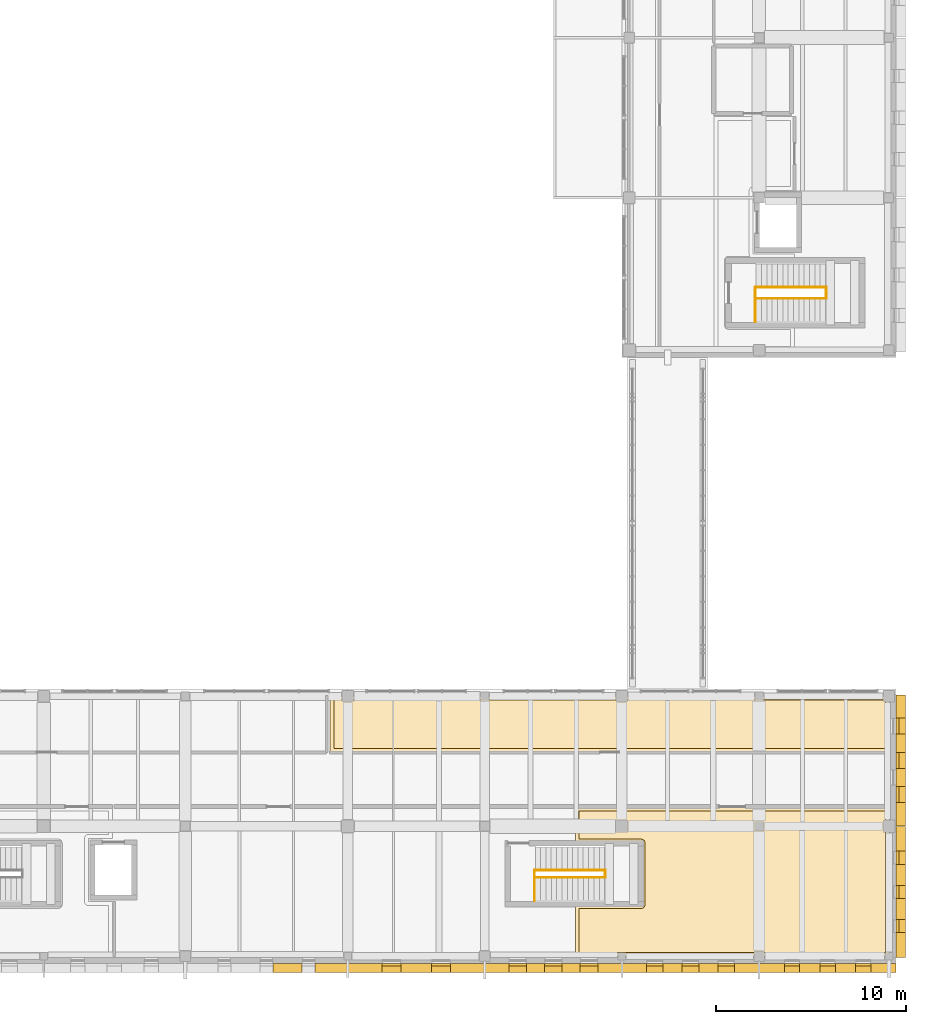
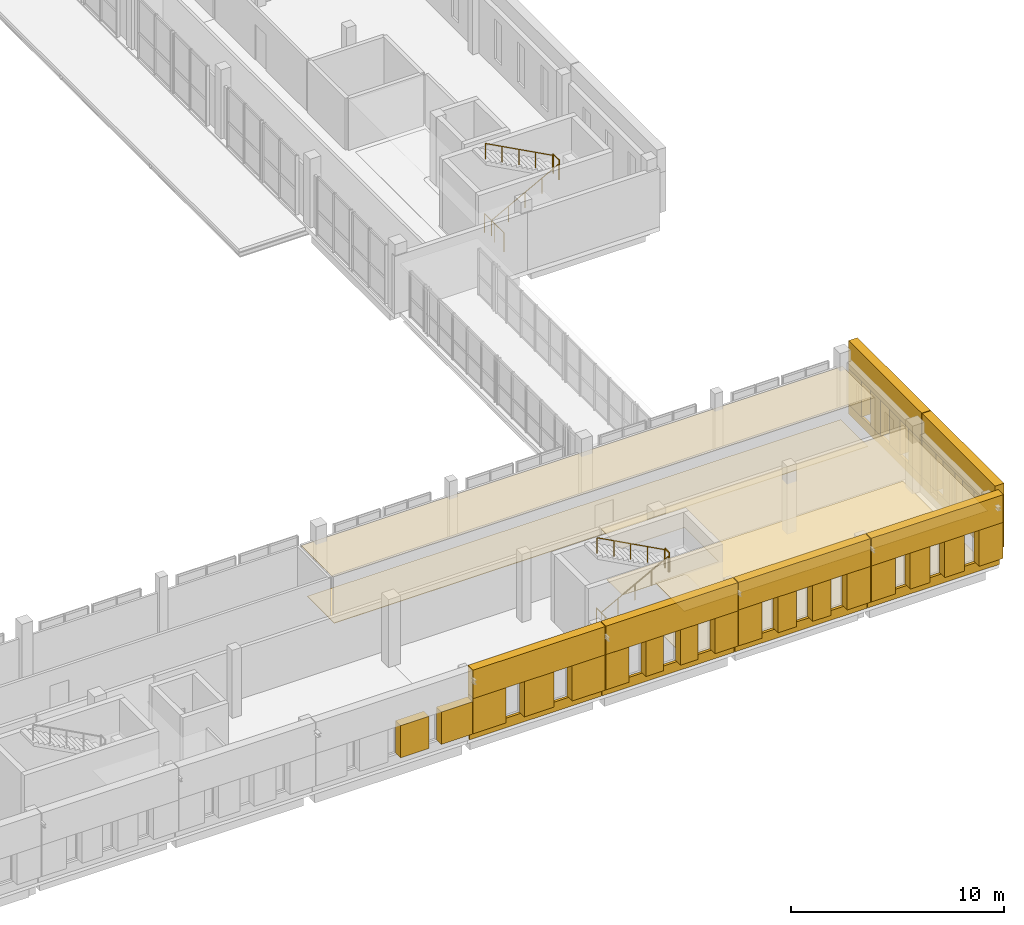
# One storey, part 74 of 76: 41 coverings, 8 railings.
"""IFC4 building model written with IfcOpenShell, lengths in metres."""

import ifcopenshell
import ifcopenshell.guid

model = None  # the IFC model being written
_history = None  # IfcOwnerHistory: only IFC2X3 demands one
_inside = {}  # id of a spatial element -> (the spatial element, [elements in it])
_under = {}  # id of a project, library or spatial element -> (it, [spatial elements below it])
_declared = {}  # id of a project -> (the project, [libraries it declares])
_typed = {}  # id of a type object -> (the type object, [elements of that type])
_made_of = {}  # id of a material, layer set ... -> (it, [elements and type objects made of it])


def new_model(schema):
    """Start an empty IFC model of exactly this schema.

    Asked for "IFC4X3", IfcOpenShell would pick the latest addendum, in which some entities
    have other attributes; the version numbers below select the first issue.
    IFC2X3 requires an IfcOwnerHistory on every rooted entity: one is made here for all.
    """
    global model, _history
    if schema == "IFC4X3":
        model = ifcopenshell.file(schema_version=(4, 3, 0, 0))
    else:
        model = ifcopenshell.file(schema=schema)
    _inside.clear()
    _under.clear()
    _declared.clear()
    _typed.clear()
    _made_of.clear()
    _history = None
    if model.schema == "IFC2X3":
        org = make("IfcOrganization", Name="unknown")
        user = make(
            "IfcPersonAndOrganization",
            ThePerson=make("IfcPerson", FamilyName="unknown"),
            TheOrganization=org,
        )
        app = make(
            "IfcApplication",
            ApplicationDeveloper=org,
            Version="unknown",
            ApplicationFullName="unknown",
            ApplicationIdentifier="unknown",
        )
        _history = make(
            "IfcOwnerHistory",
            OwningUser=user,
            OwningApplication=app,
            ChangeAction="ADDED",
            CreationDate=0,
        )
    return model


def make(cls, **values):
    """One entity of the class cls with the attributes given. An attribute that is None is left unset."""
    return model.create_entity(
        cls, **{name: value for name, value in values.items() if value is not None}
    )


def rooted(cls, **values):
    """An entity with a GlobalId (a new one), such as an element, a storey or a relation."""
    return make(cls, GlobalId=ifcopenshell.guid.new(), OwnerHistory=_history, **values)


def si_unit(unit_type, name, prefix=None):
    """IfcSIUnit, for example si_unit("LENGTHUNIT", "METRE", prefix="MILLI")."""
    return make("IfcSIUnit", UnitType=unit_type, Prefix=prefix, Name=name)


def assignment(units):
    """IfcUnitAssignment: the units of a project."""
    return None if units is None else make("IfcUnitAssignment", Units=units)


def point(xyz):
    """IfcCartesianPoint."""
    return None if xyz is None else make("IfcCartesianPoint", Coordinates=xyz)


def direction(xyz):
    """IfcDirection."""
    return None if xyz is None else make("IfcDirection", DirectionRatios=xyz)


def frame(location, z_axis=None, x_axis=None):
    """IfcAxis2Placement3D, a coordinate frame: its origin and axes. An axis left out is left unset."""
    return make(
        "IfcAxis2Placement3D",
        Location=point(location),
        Axis=direction(z_axis),
        RefDirection=direction(x_axis),
    )


def frame_2d(location, x_axis=None):
    """IfcAxis2Placement2D, a coordinate frame in the plane: its origin and x axis."""
    return make(
        "IfcAxis2Placement2D", Location=point(location), RefDirection=direction(x_axis)
    )


def origin():
    """The frame at (0, 0, 0) with its axes left unset."""
    return frame((0.0, 0.0, 0.0))


def origin_2d():
    """The frame at (0, 0) in the plane with its x axis left unset."""
    return frame_2d((0.0, 0.0))


def place(relative_to, where):
    """IfcLocalPlacement: puts the frame where relative to a parent placement (None: the world)."""
    return make(
        "IfcLocalPlacement", PlacementRelTo=relative_to, RelativePlacement=where
    )


def context(
    kind, dimensions, precision=None, world=None, true_north=None, identifier=None
):
    """IfcGeometricRepresentationContext, for example the 3D "Model" context."""
    return make(
        "IfcGeometricRepresentationContext",
        ContextIdentifier=identifier,
        ContextType=kind,
        CoordinateSpaceDimension=dimensions,
        Precision=precision,
        WorldCoordinateSystem=world,
        TrueNorth=true_north,
    )


def subcontext(parent, identifier, kind, view, scale=None):
    """IfcGeometricRepresentationSubContext, for example "Body" below "Model"."""
    return make(
        "IfcGeometricRepresentationSubContext",
        ContextIdentifier=identifier,
        ContextType=kind,
        ParentContext=parent,
        TargetScale=scale,
        TargetView=view,
    )


def project(units=None, contexts=None):
    """IfcProject with its units and contexts."""
    return rooted(
        "IfcProject",
        Name="project",
        RepresentationContexts=contexts,
        UnitsInContext=assignment(units),
    )


def spatial(cls, under=None, at=None, **own):
    """A site, building, storey or space (cls), placed at a placement, below another one or the project."""
    s = rooted(cls, ObjectPlacement=at, **own)
    if under is not None:
        _under.setdefault(under.id(), (under, []))[1].append(s)
    return s


def polyline(points):
    """IfcPolyline through the points."""
    return make("IfcPolyline", Points=[point(p) for p in points])


def profile(cls, at=None, kind="AREA", **sizes):
    """A parametric profile (cls). Its sizes go by their IFC names, for example OverallWidth=200.0."""
    return make(cls, ProfileType=kind, Position=at, **sizes)


def circle(**sizes):
    """IfcCircleProfileDef."""
    return profile("IfcCircleProfileDef", **sizes)


def outline(outer, holes=None, kind="AREA"):
    """IfcArbitraryClosedProfileDef: a profile drawn as a closed curve; with holes, ...WithVoids."""
    if holes is None:
        return make("IfcArbitraryClosedProfileDef", ProfileType=kind, OuterCurve=outer)
    return make(
        "IfcArbitraryProfileDefWithVoids",
        ProfileType=kind,
        OuterCurve=outer,
        InnerCurves=holes,
    )


def extrude(swept, where, along, depth):
    """IfcExtrudedAreaSolid: the profile swept, set in the frame where, extruded along a direction by depth."""
    return make(
        "IfcExtrudedAreaSolid",
        SweptArea=swept,
        Position=where,
        ExtrudedDirection=direction(along),
        Depth=depth,
    )


def shape(context_of_items, identifier, shape_type, items):
    """IfcShapeRepresentation: the items that make up one representation, for example the "Body"."""
    return make(
        "IfcShapeRepresentation",
        ContextOfItems=context_of_items,
        RepresentationIdentifier=identifier,
        RepresentationType=shape_type,
        Items=items,
    )


def material(Name=None, Category=None):
    """IfcMaterial."""
    return make("IfcMaterial", Name=Name, Category=Category)


def layer(
    of_material, thickness, ventilated=None, Name=None, Category=None, Priority=None
):
    """IfcMaterialLayer: one layer of a wall or slab, of a material (None: an air gap)."""
    return make(
        "IfcMaterialLayer",
        Material=of_material,
        LayerThickness=thickness,
        IsVentilated=ventilated,
        Name=Name,
        Category=Category,
        Priority=Priority,
    )


def layer_set(layers, Name=None):
    """IfcMaterialLayerSet."""
    return make("IfcMaterialLayerSet", MaterialLayers=layers, LayerSetName=Name)


def made_of(thing, what):
    """Note that an element or type object is made of a material, layer set ...; save() writes the relation."""
    if what is not None:
        _made_of.setdefault(what.id(), (what, []))[1].append(thing)
    return thing


def type_object(cls, material=None, **own):
    """A type object (cls), such as IfcWallType, which elements share."""
    return made_of(rooted(cls, **own), material)


def element(
    cls,
    number,
    at=None,
    inside=None,
    cuts=None,
    type_object=None,
    material=None,
    context=None,
    identifier="Body",
    shape_type=None,
    held_by="IfcProductDefinitionShape",
    body=None,
    shapes=None,
    **own,
):
    """One element of the class cls, such as IfcWall. Its Tag is "e" and its number.

    at: its placement. inside: the storey or other place that contains it. cuts: it is an
    opening in that element (IfcRelVoidsElement). A single representation is given by context,
    identifier, shape_type and body (its items); several are given by shapes. held_by: the class
    of the entity that holds the representations. save() writes the other relations.
    """
    e = rooted(cls, Tag="e%d" % number, ObjectPlacement=at, **own)
    if body is not None:
        shapes = [shape(context, identifier, shape_type, body)]
    if shapes is not None:
        e.Representation = make(held_by, Representations=shapes)
    if inside is not None:
        _inside.setdefault(inside.id(), (inside, []))[1].append(e)
    if cuts is not None:
        rooted(
            "IfcRelVoidsElement", RelatingBuildingElement=cuts, RelatedOpeningElement=e
        )
    if type_object is not None:
        _typed.setdefault(type_object.id(), (type_object, []))[1].append(e)
    return made_of(e, material)


def aggregate(whole, parts):
    """IfcRelAggregates: a whole, such as a stair, and the parts it consists of."""
    return rooted("IfcRelAggregates", RelatingObject=whole, RelatedObjects=parts)


def save(model, path):
    """Write the relations noted so far, then the file.

    IfcRelAggregates (storeys below a building ...), IfcRelContainedInSpatialStructure (elements
    in a storey), IfcRelDefinesByType, IfcRelAssociatesMaterial and IfcRelDeclares: one each for
    every whole, place, type object, material and project.
    """
    for whole, parts in _under.values():
        aggregate(whole, parts)
    for where, things in _inside.values():
        rooted(
            "IfcRelContainedInSpatialStructure",
            RelatedElements=things,
            RelatingStructure=where,
        )
    for kind, things in _typed.values():
        rooted("IfcRelDefinesByType", RelatedObjects=things, RelatingType=kind)
    for what, things in _made_of.values():
        rooted("IfcRelAssociatesMaterial", RelatedObjects=things, RelatingMaterial=what)
    for by, libraries in _declared.values():
        rooted("IfcRelDeclares", RelatingContext=by, RelatedDefinitions=libraries)
    model.write(path)


model = new_model("IFC4")

# Units and contexts
model_context = context("Model", 3, precision=1e-05, world=origin(), true_north=direction((0.0, 1.0)))
body_context = subcontext(model_context, "Body", "Model", "MODEL_VIEW")
ifc_project = project(units=[si_unit("LENGTHUNIT", "METRE"), si_unit("AREAUNIT", "SQUARE_METRE"), si_unit("VOLUMEUNIT", "CUBIC_METRE"), si_unit("PLANEANGLEUNIT", "RADIAN"), si_unit("MASSUNIT", "GRAM", prefix="KILO")], contexts=[model_context])

# Site, building, storey
site_placement = place(None, origin())
site = spatial("IfcSite", under=ifc_project, at=site_placement, CompositionType="ELEMENT")
building_placement = place(site_placement, origin())
building = spatial("IfcBuilding", under=site, at=building_placement, Name="Vardoun Plaza Health Centre", CompositionType="ELEMENT")
storey_placement = place(building_placement, frame((0.0, 0.0, 4.5)))
storey = spatial("IfcBuildingStorey", under=building, at=storey_placement, Name="L01", CompositionType="ELEMENT", Elevation=4.5)

# Coverings
ifc_material_1 = material(Name="Hygienic Acoustic Mineral-Fibre Ceiling", Category="concrete")
ifc_layer_1 = layer(ifc_material_1, 0.02490234375)
ifc_layer_set_1 = layer_set([ifc_layer_1], Name="Hygienic Acoustic Mineral-Fibre Ceiling")
covering_type_1 = type_object("IfcCoveringType", Name="CL-01", PredefinedType="CEILING", material=ifc_layer_set_1)
covering_1_placement = place(storey_placement, frame((0.0, 0.0, 2.864990234375)))
element("IfcCovering", 1, at=covering_1_placement, inside=storey, type_object=covering_type_1, Name="Endoscope Decontamination Suite Acoustic Ceiling", PredefinedType="CEILING", context=body_context, shape_type="SweptSolid", body=[
    extrude(outline(polyline([(164.93994140625, 4.860107421875), (148.449951171875, 4.860107421875), (148.449951171875, 7.590087890625), (151.89990234375, 7.590087890625), (151.90087890625, 7.590087890625), (151.902099609375, 7.590087890625), (151.90283203125, 7.59033203125), (151.90380859375, 7.5908203125), (151.90478515625, 7.59130859375), (151.905517578125, 7.591796875), (151.90625, 7.59228515625), (151.906982421875, 7.593017578125), (151.90771484375, 7.59375), (151.908203125, 7.594482421875), (151.90869140625, 7.59521484375), (151.9091796875, 7.59619140625), (151.90966796875, 7.59716796875), (151.909912109375, 7.597900390625), (151.909912109375, 7.59912109375), (151.909912109375, 7.60009765625), (151.909912109375, 10.800048828125), (151.909912109375, 10.801025390625), (151.909912109375, 10.802001953125), (151.90966796875, 10.802978515625), (151.9091796875, 10.8037109375), (151.90869140625, 10.8046875), (151.908203125, 10.8056640625), (151.90771484375, 10.806396484375), (151.906982421875, 10.80712890625), (151.90625, 10.8076171875), (151.905517578125, 10.808349609375), (151.90478515625, 10.808837890625), (151.90380859375, 10.80908203125), (151.90283203125, 10.8095703125), (151.902099609375, 10.809814453125), (151.90087890625, 10.81005859375), (151.89990234375, 10.81005859375), (148.449951171875, 10.81005859375), (148.449951171875, 12.719970703125), (164.93994140625, 12.719970703125), (164.93994140625, 4.860107421875)])), origin(), (0.0, 0.0, 1.0), 0.02490234375),
])
covering_2_placement = place(storey_placement, frame((0.0, 0.0, 2.864990234375)))
element("IfcCovering", 2, at=covering_2_placement, inside=storey, type_object=covering_type_1, Name="Day Surgery Reception Lounge Acoustic Ceiling", PredefinedType="CEILING", context=body_context, shape_type="SweptSolid", body=[
    extrude(outline(polyline([(164.93994140625, 18.5400390625), (164.93994140625, 15.580078125), (135.570068359375, 15.580078125), (135.570068359375, 18.5400390625), (164.93994140625, 18.5400390625)])), origin(), (0.0, 0.0, 1.0), 0.02490234375),
])
ifc_material_2 = material(Name="Pale Limestone Concrete C35/45", Category="masonry")
ifc_layer_2 = layer(ifc_material_2, 0.080078125)
ifc_layer_set_2 = layer_set([ifc_layer_2], Name="Pale Limestone Concrete C35/45")
covering_type_2 = type_object("IfcCoveringType", Name="CL-EXT1", PredefinedType="CLADDING", material=ifc_layer_set_2)
covering_3_placement = place(storey_placement, origin())
element("IfcCovering", 3, at=covering_3_placement, inside=storey, type_object=covering_type_2, Name="V5 L01 Pale Concrete Sill Band 1123", PredefinedType="CLADDING", context=body_context, shape_type="SweptSolid", body=[
    extrude(outline(polyline([(165.300048828125, 18.5849609375), (165.300048828125, 11.719970703125), (165.43994140625, 11.719970703125), (165.43994140625, 18.5849609375), (165.300048828125, 18.5849609375)])), origin(), (0.0, 0.0, 1.0), 0.550048828125),
])
covering_4_placement = place(storey_placement, frame((0.0, 0.0, 2.590087890625)))
element("IfcCovering", 4, at=covering_4_placement, inside=storey, type_object=covering_type_2, Name="V5 L01 Sculpted Concrete Eyebrow Hood 1124", PredefinedType="CLADDING", context=body_context, shape_type="SweptSolid", body=[
    extrude(outline(polyline([(165.300048828125, 18.5849609375), (165.300048828125, 11.719970703125), (165.780029296875, 11.719970703125), (165.780029296875, 18.5849609375), (165.300048828125, 18.5849609375)])), origin(), (0.0, 0.0, 1.0), 1.60986328125),
])
covering_5_placement = place(storey_placement, frame((0.0, 0.0, 0.550048828125)))
element("IfcCovering", 5, at=covering_5_placement, inside=storey, type_object=covering_type_2, Name="V5 L01 Deep-Punched Slot Concrete Reveal Pier 1125", PredefinedType="CLADDING", context=body_context, shape_type="SweptSolid", body=[
    extrude(outline(polyline([(165.300048828125, 18.5849609375), (165.300048828125, 17.367919921875), (165.780029296875, 17.367919921875), (165.780029296875, 18.5849609375), (165.300048828125, 18.5849609375)])), origin(), (0.0, 0.0, 1.0), 2.0400390625),
])
covering_6_placement = place(storey_placement, frame((0.0, 0.0, 0.550048828125)))
element("IfcCovering", 6, at=covering_6_placement, inside=storey, type_object=covering_type_2, Name="V5 L01 Deep-Punched Slot Concrete Reveal Pier 1126", PredefinedType="CLADDING", context=body_context, shape_type="SweptSolid", body=[
    extrude(outline(polyline([(165.300048828125, 16.52783203125), (165.300048828125, 15.572509765625), (165.780029296875, 15.572509765625), (165.780029296875, 16.52783203125), (165.300048828125, 16.52783203125)])), origin(), (0.0, 0.0, 1.0), 2.0400390625),
])
covering_7_placement = place(storey_placement, frame((0.0, 0.0, 0.550048828125)))
element("IfcCovering", 7, at=covering_7_placement, inside=storey, type_object=covering_type_2, Name="V5 L01 Deep-Punched Slot Concrete Reveal Pier 1127", PredefinedType="CLADDING", context=body_context, shape_type="SweptSolid", body=[
    extrude(outline(polyline([(165.300048828125, 14.732421875), (165.300048828125, 13.777099609375), (165.780029296875, 13.777099609375), (165.780029296875, 14.732421875), (165.300048828125, 14.732421875)])), origin(), (0.0, 0.0, 1.0), 2.0400390625),
])
covering_8_placement = place(storey_placement, frame((0.0, 0.0, 0.550048828125)))
element("IfcCovering", 8, at=covering_8_placement, inside=storey, type_object=covering_type_2, Name="V5 L01 Deep-Punched Slot Concrete Reveal Pier 1128", PredefinedType="CLADDING", context=body_context, shape_type="SweptSolid", body=[
    extrude(outline(polyline([(165.300048828125, 12.937255859375), (165.300048828125, 11.719970703125), (165.780029296875, 11.719970703125), (165.780029296875, 12.937255859375), (165.300048828125, 12.937255859375)])), origin(), (0.0, 0.0, 1.0), 2.0400390625),
])
covering_9_placement = place(storey_placement, origin())
element("IfcCovering", 9, at=covering_9_placement, inside=storey, type_object=covering_type_2, Name="V5 L01 Pale Concrete Sill Band 1129", PredefinedType="CLADDING", context=body_context, shape_type="SweptSolid", body=[
    extrude(outline(polyline([(165.300048828125, 11.679931640625), (165.300048828125, 4.81494140625), (165.43994140625, 4.81494140625), (165.43994140625, 11.679931640625), (165.300048828125, 11.679931640625)])), origin(), (0.0, 0.0, 1.0), 0.550048828125),
])
covering_10_placement = place(storey_placement, frame((0.0, 0.0, 2.68994140625)))
element("IfcCovering", 10, at=covering_10_placement, inside=storey, type_object=covering_type_2, Name="V5 L01 Sculpted Concrete Eyebrow Hood 1130", PredefinedType="CLADDING", context=body_context, shape_type="SweptSolid", body=[
    extrude(outline(polyline([(165.300048828125, 11.679931640625), (165.300048828125, 4.81494140625), (165.780029296875, 4.81494140625), (165.780029296875, 11.679931640625), (165.300048828125, 11.679931640625)])), origin(), (0.0, 0.0, 1.0), 1.510009765625),
])
covering_11_placement = place(storey_placement, frame((0.0, 0.0, 0.550048828125)))
element("IfcCovering", 11, at=covering_11_placement, inside=storey, type_object=covering_type_2, Name="V5 L01 Deep-Punched Slot Concrete Reveal Pier 1131", PredefinedType="CLADDING", context=body_context, shape_type="SweptSolid", body=[
    extrude(outline(polyline([(165.300048828125, 11.679931640625), (165.300048828125, 10.3876953125), (165.780029296875, 10.3876953125), (165.780029296875, 11.679931640625), (165.300048828125, 11.679931640625)])), origin(), (0.0, 0.0, 1.0), 2.139892578125),
])
covering_12_placement = place(storey_placement, frame((0.0, 0.0, 0.550048828125)))
element("IfcCovering", 12, at=covering_12_placement, inside=storey, type_object=covering_type_2, Name="V5 L01 Deep-Punched Slot Concrete Reveal Pier 1132", PredefinedType="CLADDING", context=body_context, shape_type="SweptSolid", body=[
    extrude(outline(polyline([(165.300048828125, 9.69775390625), (165.300048828125, 8.592529296875), (165.780029296875, 8.592529296875), (165.780029296875, 9.69775390625), (165.300048828125, 9.69775390625)])), origin(), (0.0, 0.0, 1.0), 2.139892578125),
])
covering_13_placement = place(storey_placement, frame((0.0, 0.0, 0.550048828125)))
element("IfcCovering", 13, at=covering_13_placement, inside=storey, type_object=covering_type_2, Name="V5 L01 Deep-Punched Slot Concrete Reveal Pier 1133", PredefinedType="CLADDING", context=body_context, shape_type="SweptSolid", body=[
    extrude(outline(polyline([(165.300048828125, 7.902587890625), (165.300048828125, 6.797119140625), (165.780029296875, 6.797119140625), (165.780029296875, 7.902587890625), (165.300048828125, 7.902587890625)])), origin(), (0.0, 0.0, 1.0), 2.139892578125),
])
covering_14_placement = place(storey_placement, frame((0.0, 0.0, 0.550048828125)))
element("IfcCovering", 14, at=covering_14_placement, inside=storey, type_object=covering_type_2, Name="V5 L01 Deep-Punched Slot Concrete Reveal Pier 1134", PredefinedType="CLADDING", context=body_context, shape_type="SweptSolid", body=[
    extrude(outline(polyline([(165.300048828125, 6.107177734375), (165.300048828125, 4.81494140625), (165.780029296875, 4.81494140625), (165.780029296875, 6.107177734375), (165.300048828125, 6.107177734375)])), origin(), (0.0, 0.0, 1.0), 2.139892578125),
])
covering_15_placement = place(storey_placement, origin())
element("IfcCovering", 15, at=covering_15_placement, inside=storey, type_object=covering_type_2, Name="V5 L01 Pale Concrete Sill Band 1135", PredefinedType="CLADDING", context=body_context, shape_type="SweptSolid", body=[
    extrude(outline(polyline([(165.280029296875, 4.5), (158.1201171875, 4.5), (158.1201171875, 4.360107421875), (165.280029296875, 4.360107421875), (165.280029296875, 4.5)])), origin(), (0.0, 0.0, 1.0), 0.550048828125),
])
covering_16_placement = place(storey_placement, frame((0.0, 0.0, 2.610107421875)))
element("IfcCovering", 16, at=covering_16_placement, inside=storey, type_object=covering_type_2, Name="V5 L01 Sculpted Concrete Eyebrow Hood 1136", PredefinedType="CLADDING", context=body_context, shape_type="SweptSolid", body=[
    extrude(outline(polyline([(165.280029296875, 4.5), (158.1201171875, 4.5), (158.1201171875, 4.02001953125), (165.280029296875, 4.02001953125), (165.280029296875, 4.5)])), origin(), (0.0, 0.0, 1.0), 1.58984375),
])
covering_17_placement = place(storey_placement, frame((0.0, 0.0, 0.550048828125)))
element("IfcCovering", 17, at=covering_17_placement, inside=storey, type_object=covering_type_2, Name="V5 L01 Deep-Punched Slot Concrete Reveal Pier 1137", PredefinedType="CLADDING", context=body_context, shape_type="SweptSolid", body=[
    extrude(outline(polyline([(165.280029296875, 4.5), (163.97705078125, 4.5), (163.97705078125, 4.02001953125), (165.280029296875, 4.02001953125), (165.280029296875, 4.5)])), origin(), (0.0, 0.0, 1.0), 2.06005859375),
])
covering_18_placement = place(storey_placement, frame((0.0, 0.0, 0.550048828125)))
element("IfcCovering", 18, at=covering_18_placement, inside=storey, type_object=covering_type_2, Name="V5 L01 Deep-Punched Slot Concrete Reveal Pier 1138", PredefinedType="CLADDING", context=body_context, shape_type="SweptSolid", body=[
    extrude(outline(polyline([(163.1669921875, 4.5), (162.10498046875, 4.5), (162.10498046875, 4.02001953125), (163.1669921875, 4.02001953125), (163.1669921875, 4.5)])), origin(), (0.0, 0.0, 1.0), 2.06005859375),
])
covering_19_placement = place(storey_placement, frame((0.0, 0.0, 0.550048828125)))
element("IfcCovering", 19, at=covering_19_placement, inside=storey, type_object=covering_type_2, Name="V5 L01 Deep-Punched Slot Concrete Reveal Pier 1139", PredefinedType="CLADDING", context=body_context, shape_type="SweptSolid", body=[
    extrude(outline(polyline([(161.294921875, 4.5), (160.23291015625, 4.5), (160.23291015625, 4.02001953125), (161.294921875, 4.02001953125), (161.294921875, 4.5)])), origin(), (0.0, 0.0, 1.0), 2.06005859375),
])
covering_20_placement = place(storey_placement, frame((0.0, 0.0, 0.550048828125)))
element("IfcCovering", 20, at=covering_20_placement, inside=storey, type_object=covering_type_2, Name="V5 L01 Deep-Punched Slot Concrete Reveal Pier 1140", PredefinedType="CLADDING", context=body_context, shape_type="SweptSolid", body=[
    extrude(outline(polyline([(159.423095703125, 4.5), (158.1201171875, 4.5), (158.1201171875, 4.02001953125), (159.423095703125, 4.02001953125), (159.423095703125, 4.5)])), origin(), (0.0, 0.0, 1.0), 2.06005859375),
])
covering_21_placement = place(storey_placement, origin())
element("IfcCovering", 21, at=covering_21_placement, inside=storey, type_object=covering_type_2, Name="V5 L01 Pale Concrete Sill Band 1141", PredefinedType="CLADDING", context=body_context, shape_type="SweptSolid", body=[
    extrude(outline(polyline([(158.080078125, 4.5), (150.919921875, 4.5), (150.919921875, 4.360107421875), (158.080078125, 4.360107421875), (158.080078125, 4.5)])), origin(), (0.0, 0.0, 1.0), 0.550048828125),
])
covering_22_placement = place(storey_placement, frame((0.0, 0.0, 2.610107421875)))
element("IfcCovering", 22, at=covering_22_placement, inside=storey, type_object=covering_type_2, Name="V5 L01 Sculpted Concrete Eyebrow Hood 1142", PredefinedType="CLADDING", context=body_context, shape_type="SweptSolid", body=[
    extrude(outline(polyline([(158.080078125, 4.5), (150.919921875, 4.5), (150.919921875, 4.02001953125), (158.080078125, 4.02001953125), (158.080078125, 4.5)])), origin(), (0.0, 0.0, 1.0), 1.58984375),
])
covering_23_placement = place(storey_placement, frame((0.0, 0.0, 0.550048828125)))
element("IfcCovering", 23, at=covering_23_placement, inside=storey, type_object=covering_type_2, Name="V5 L01 Deep-Punched Slot Concrete Reveal Pier 1143", PredefinedType="CLADDING", context=body_context, shape_type="SweptSolid", body=[
    extrude(outline(polyline([(158.080078125, 4.5), (156.806884765625, 4.5), (156.806884765625, 4.02001953125), (158.080078125, 4.02001953125), (158.080078125, 4.5)])), origin(), (0.0, 0.0, 1.0), 2.06005859375),
])
covering_24_placement = place(storey_placement, frame((0.0, 0.0, 0.550048828125)))
element("IfcCovering", 24, at=covering_24_placement, inside=storey, type_object=covering_type_2, Name="V5 L01 Deep-Punched Slot Concrete Reveal Pier 1144", PredefinedType="CLADDING", context=body_context, shape_type="SweptSolid", body=[
    extrude(outline(polyline([(155.93701171875, 4.5), (154.93505859375, 4.5), (154.93505859375, 4.02001953125), (155.93701171875, 4.02001953125), (155.93701171875, 4.5)])), origin(), (0.0, 0.0, 1.0), 2.06005859375),
])
covering_25_placement = place(storey_placement, frame((0.0, 0.0, 0.550048828125)))
element("IfcCovering", 25, at=covering_25_placement, inside=storey, type_object=covering_type_2, Name="V5 L01 Deep-Punched Slot Concrete Reveal Pier 1145", PredefinedType="CLADDING", context=body_context, shape_type="SweptSolid", body=[
    extrude(outline(polyline([(154.06494140625, 4.5), (153.06298828125, 4.5), (153.06298828125, 4.02001953125), (154.06494140625, 4.02001953125), (154.06494140625, 4.5)])), origin(), (0.0, 0.0, 1.0), 2.06005859375),
])
covering_26_placement = place(storey_placement, frame((0.0, 0.0, 0.550048828125)))
element("IfcCovering", 26, at=covering_26_placement, inside=storey, type_object=covering_type_2, Name="V5 L01 Deep-Punched Slot Concrete Reveal Pier 1146", PredefinedType="CLADDING", context=body_context, shape_type="SweptSolid", body=[
    extrude(outline(polyline([(152.193115234375, 4.5), (150.919921875, 4.5), (150.919921875, 4.02001953125), (152.193115234375, 4.02001953125), (152.193115234375, 4.5)])), origin(), (0.0, 0.0, 1.0), 2.06005859375),
])
covering_27_placement = place(storey_placement, origin())
element("IfcCovering", 27, at=covering_27_placement, inside=storey, type_object=covering_type_2, Name="V5 L01 Pale Concrete Sill Band 1147", PredefinedType="CLADDING", context=body_context, shape_type="SweptSolid", body=[
    extrude(outline(polyline([(150.8798828125, 4.5), (143.719970703125, 4.5), (143.719970703125, 4.360107421875), (150.8798828125, 4.360107421875), (150.8798828125, 4.5)])), origin(), (0.0, 0.0, 1.0), 0.550048828125),
])
covering_28_placement = place(storey_placement, frame((0.0, 0.0, 2.570068359375)))
element("IfcCovering", 28, at=covering_28_placement, inside=storey, type_object=covering_type_2, Name="V5 L01 Sculpted Concrete Eyebrow Hood 1148", PredefinedType="CLADDING", context=body_context, shape_type="SweptSolid", body=[
    extrude(outline(polyline([(150.8798828125, 4.5), (143.719970703125, 4.5), (143.719970703125, 4.02001953125), (150.8798828125, 4.02001953125), (150.8798828125, 4.5)])), origin(), (0.0, 0.0, 1.0), 1.6298828125),
])
covering_29_placement = place(storey_placement, frame((0.0, 0.0, 0.550048828125)))
element("IfcCovering", 29, at=covering_29_placement, inside=storey, type_object=covering_type_2, Name="V5 L01 Deep-Punched Slot Concrete Reveal Pier 1149", PredefinedType="CLADDING", context=body_context, shape_type="SweptSolid", body=[
    extrude(outline(polyline([(150.8798828125, 4.5), (149.636962890625, 4.5), (149.636962890625, 4.02001953125), (150.8798828125, 4.02001953125), (150.8798828125, 4.5)])), origin(), (0.0, 0.0, 1.0), 2.02001953125),
])
covering_30_placement = place(storey_placement, frame((0.0, 0.0, 0.550048828125)))
element("IfcCovering", 30, at=covering_30_placement, inside=storey, type_object=covering_type_2, Name="V5 L01 Deep-Punched Slot Concrete Reveal Pier 1150", PredefinedType="CLADDING", context=body_context, shape_type="SweptSolid", body=[
    extrude(outline(polyline([(148.70703125, 4.5), (147.764892578125, 4.5), (147.764892578125, 4.02001953125), (148.70703125, 4.02001953125), (148.70703125, 4.5)])), origin(), (0.0, 0.0, 1.0), 2.02001953125),
])
covering_31_placement = place(storey_placement, frame((0.0, 0.0, 0.550048828125)))
element("IfcCovering", 31, at=covering_31_placement, inside=storey, type_object=covering_type_2, Name="V5 L01 Deep-Punched Slot Concrete Reveal Pier 1151", PredefinedType="CLADDING", context=body_context, shape_type="SweptSolid", body=[
    extrude(outline(polyline([(146.8349609375, 4.5), (145.89306640625, 4.5), (145.89306640625, 4.02001953125), (146.8349609375, 4.02001953125), (146.8349609375, 4.5)])), origin(), (0.0, 0.0, 1.0), 2.02001953125),
])
covering_32_placement = place(storey_placement, frame((0.0, 0.0, 0.550048828125)))
element("IfcCovering", 32, at=covering_32_placement, inside=storey, type_object=covering_type_2, Name="V5 L01 Deep-Punched Slot Concrete Reveal Pier 1152", PredefinedType="CLADDING", context=body_context, shape_type="SweptSolid", body=[
    extrude(outline(polyline([(144.962890625, 4.5), (143.719970703125, 4.5), (143.719970703125, 4.02001953125), (144.962890625, 4.02001953125), (144.962890625, 4.5)])), origin(), (0.0, 0.0, 1.0), 2.02001953125),
])
covering_33_placement = place(storey_placement, origin())
element("IfcCovering", 33, at=covering_33_placement, inside=storey, type_object=covering_type_2, Name="V5 L01 Pale Concrete Sill Band 1153", PredefinedType="CLADDING", context=body_context, shape_type="SweptSolid", body=[
    extrude(outline(polyline([(143.679931640625, 4.5), (136.52001953125, 4.5), (136.52001953125, 4.360107421875), (143.679931640625, 4.360107421875), (143.679931640625, 4.5)])), origin(), (0.0, 0.0, 1.0), 0.550048828125),
])
covering_34_placement = place(storey_placement, frame((0.0, 0.0, 2.570068359375)))
element("IfcCovering", 34, at=covering_34_placement, inside=storey, type_object=covering_type_2, Name="V5 L01 Sculpted Concrete Eyebrow Hood 1154", PredefinedType="CLADDING", context=body_context, shape_type="SweptSolid", body=[
    extrude(outline(polyline([(143.679931640625, 4.5), (136.52001953125, 4.5), (136.52001953125, 4.02001953125), (143.679931640625, 4.02001953125), (143.679931640625, 4.5)])), origin(), (0.0, 0.0, 1.0), 1.6298828125),
])
covering_35_placement = place(storey_placement, frame((0.0, 0.0, 0.550048828125)))
element("IfcCovering", 35, at=covering_35_placement, inside=storey, type_object=covering_type_2, Name="V5 L01 Deep-Punched Slot Concrete Reveal Pier 1155", PredefinedType="CLADDING", context=body_context, shape_type="SweptSolid", body=[
    extrude(outline(polyline([(143.679931640625, 4.5), (141.89111328125, 4.5), (141.89111328125, 4.02001953125), (143.679931640625, 4.02001953125), (143.679931640625, 4.5)])), origin(), (0.0, 0.0, 1.0), 2.02001953125),
])
covering_36_placement = place(storey_placement, frame((0.0, 0.0, 0.550048828125)))
element("IfcCovering", 36, at=covering_36_placement, inside=storey, type_object=covering_type_2, Name="V5 L01 Deep-Punched Slot Concrete Reveal Pier 1156", PredefinedType="CLADDING", context=body_context, shape_type="SweptSolid", body=[
    extrude(outline(polyline([(140.90087890625, 4.5), (139.299072265625, 4.5), (139.299072265625, 4.02001953125), (140.90087890625, 4.02001953125), (140.90087890625, 4.5)])), origin(), (0.0, 0.0, 1.0), 2.02001953125),
])
covering_37_placement = place(storey_placement, frame((0.0, 0.0, 0.550048828125)))
element("IfcCovering", 37, at=covering_37_placement, inside=storey, type_object=covering_type_2, Name="V5 L01 Deep-Punched Slot Concrete Reveal Pier 1157", PredefinedType="CLADDING", context=body_context, shape_type="SweptSolid", body=[
    extrude(outline(polyline([(138.30908203125, 4.5), (136.52001953125, 4.5), (136.52001953125, 4.02001953125), (138.30908203125, 4.02001953125), (138.30908203125, 4.5)])), origin(), (0.0, 0.0, 1.0), 2.02001953125),
])
covering_38_placement = place(storey_placement, frame((0.0, 0.0, 0.550048828125)))
element("IfcCovering", 38, at=covering_38_placement, inside=storey, type_object=covering_type_2, Name="V5 L01 Deep-Punched Slot Concrete Reveal Pier 1160", PredefinedType="CLADDING", context=body_context, shape_type="SweptSolid", body=[
    extrude(outline(polyline([(136.47998046875, 4.5), (134.795166015625, 4.5), (134.795166015625, 4.02001953125), (136.47998046875, 4.02001953125), (136.47998046875, 4.5)])), origin(), (0.0, 0.0, 1.0), 1.849853515625),
])
covering_39_placement = place(storey_placement, frame((0.0, 0.0, 0.550048828125)))
element("IfcCovering", 39, at=covering_39_placement, inside=storey, type_object=covering_type_2, Name="V5 L01 Deep-Punched Slot Concrete Reveal Pier 1161", PredefinedType="CLADDING", context=body_context, shape_type="SweptSolid", body=[
    extrude(outline(polyline([(134.115234375, 4.5), (132.580078125, 4.5), (132.580078125, 4.02001953125), (134.115234375, 4.02001953125), (134.115234375, 4.5)])), origin(), (0.0, 0.0, 1.0), 1.849853515625),
])
ifc_material_3 = material(Name="Polished Lebanese Limestone Terrazzo", Category="masonry")
ifc_layer_3 = layer(ifc_material_3, 0.030029296875)
ifc_layer_set_3 = layer_set([ifc_layer_3], Name="Polished Lebanese Limestone Terrazzo")
covering_type_3 = type_object("IfcCoveringType", Name="FL-02", PredefinedType="FLOORING", material=ifc_layer_set_3)
covering_40_placement = place(storey_placement, origin())
element("IfcCovering", 40, at=covering_40_placement, inside=storey, type_object=covering_type_3, Name="Day Surgery Reception Lounge Floor Finish", PredefinedType="FLOORING", context=body_context, shape_type="SweptSolid", body=[
    extrude(outline(polyline([(164.72998046875, 18.330078125), (164.72998046875, 15.7900390625), (135.780029296875, 15.7900390625), (135.780029296875, 18.330078125), (164.72998046875, 18.330078125)])), origin(), (0.0, 0.0, 1.0), 0.030029296875),
])
ifc_material_4 = material(Name="Seamless Conductive Clinical Vinyl Flooring", Category="concrete")
ifc_layer_4 = layer(ifc_material_4, 0.014892578125)
ifc_layer_set_4 = layer_set([ifc_layer_4], Name="Seamless Conductive Clinical Vinyl Flooring")
covering_type_4 = type_object("IfcCoveringType", Name="FL-01", PredefinedType="FLOORING", material=ifc_layer_set_4)
covering_41_placement = place(storey_placement, origin())
element("IfcCovering", 41, at=covering_41_placement, inside=storey, type_object=covering_type_4, Name="Endoscope Decontamination Suite Floor Finish", PredefinedType="FLOORING", context=body_context, shape_type="SweptSolid", body=[
    extrude(outline(polyline([(164.72998046875, 5.070068359375), (148.659912109375, 5.070068359375), (148.659912109375, 7.3798828125), (151.89990234375, 7.3798828125), (151.921630859375, 7.381103515625), (151.94287109375, 7.38427734375), (151.9638671875, 7.389404296875), (151.984130859375, 7.396728515625), (152.003662109375, 7.406005859375), (152.022216796875, 7.4169921875), (152.03955078125, 7.429931640625), (152.0556640625, 7.4443359375), (152.070068359375, 7.46044921875), (152.0830078125, 7.477783203125), (152.093994140625, 7.496337890625), (152.103271484375, 7.515869140625), (152.110595703125, 7.5361328125), (152.11572265625, 7.55712890625), (152.118896484375, 7.578369140625), (152.1201171875, 7.60009765625), (152.1201171875, 10.800048828125), (152.118896484375, 10.821533203125), (152.11572265625, 10.843017578125), (152.110595703125, 10.864013671875), (152.103271484375, 10.88427734375), (152.093994140625, 10.90380859375), (152.0830078125, 10.922119140625), (152.070068359375, 10.939697265625), (152.0556640625, 10.95556640625), (152.03955078125, 10.97021484375), (152.022216796875, 10.98291015625), (152.003662109375, 10.993896484375), (151.984130859375, 11.00341796875), (151.9638671875, 11.010498046875), (151.94287109375, 11.015869140625), (151.921630859375, 11.018798828125), (151.89990234375, 11.02001953125), (148.659912109375, 11.02001953125), (148.659912109375, 12.510009765625), (164.72998046875, 12.510009765625), (164.72998046875, 5.070068359375)])), origin(), (0.0, 0.0, 1.0), 0.014892578125),
])

# Railings
ifc_material_5 = material(Name="Painted Steel S275JR Stair-Well Guardrail", Category="steel")
railing_type_1 = type_object("IfcRailingType", Name="GR-04", PredefinedType="GUARDRAIL", material=ifc_material_5)
railing_1_placement = place(storey_placement, frame((157.909912109375, 38.179931640625, 0.0)))
element("IfcRailing", 42, at=railing_1_placement, inside=storey, type_object=railing_type_1, Name="Stair ST-C10-L00 Upper Landing Well Guard", PredefinedType="GUARDRAIL", context=body_context, shape_type="SweptSolid", body=[
    extrude(circle(Radius=0.02392578125, at=origin_2d()), frame((0.0, 0.0, 1.09619140625), z_axis=(0.0, 1.0, 0.0), x_axis=(-1.0, 0.0, 0.0)), (0.0, 0.0, 1.0), 1.815185546875),
    extrude(circle(Radius=0.02099609375, at=origin_2d()), origin(), (0.0, 0.0, 1.0), 1.072021484375),
    extrude(circle(Radius=0.02099609375, at=origin_2d()), frame((0.0, 0.90771484375, 0.0)), (0.0, 0.0, 1.0), 1.072021484375),
    extrude(circle(Radius=0.02099609375, at=origin_2d()), frame((0.0, 1.815185546875, 0.0)), (0.0, 0.0, 1.0), 1.072021484375),
])
railing_2_placement = place(storey_placement, frame((161.6298828125, 39.405029296875, 2.10009765625)))
element("IfcRailing", 43, at=railing_2_placement, inside=storey, type_object=railing_type_1, Name="Stair ST-C10-L01 Mid-Landing Well Guard", PredefinedType="GUARDRAIL", context=body_context, shape_type="SweptSolid", body=[
    extrude(circle(Radius=0.02392578125, at=origin_2d()), frame((0.0, 0.0, 1.09619140625), z_axis=(0.0, 1.0, 0.0), x_axis=(-1.0, 0.0, 0.0)), (0.0, 0.0, 1.0), 0.590087890625),
    extrude(circle(Radius=0.02099609375, at=origin_2d()), origin(), (0.0, 0.0, 1.0), 1.072021484375),
    extrude(circle(Radius=0.02099609375, at=origin_2d()), frame((0.0, 0.590087890625, 0.0)), (0.0, 0.0, 1.0), 1.072021484375),
])
railing_3_placement = place(storey_placement, frame((146.31005859375, 7.780029296875, 0.0)))
element("IfcRailing", 44, at=railing_3_placement, inside=storey, type_object=railing_type_1, Name="Stair ST-C9-L00 Upper Landing Well Guard", PredefinedType="GUARDRAIL", context=body_context, shape_type="SweptSolid", body=[
    extrude(circle(Radius=0.02392578125, at=origin_2d()), frame((0.0, 0.0, 1.09619140625), z_axis=(0.0, 1.0, 0.0), x_axis=(-1.0, 0.0, 0.0)), (0.0, 0.0, 1.0), 1.614990234375),
    extrude(circle(Radius=0.02099609375, at=origin_2d()), origin(), (0.0, 0.0, 1.0), 1.072021484375),
    extrude(circle(Radius=0.02099609375, at=origin_2d()), frame((0.0, 0.8076171875, 0.0)), (0.0, 0.0, 1.0), 1.072021484375),
    extrude(circle(Radius=0.02099609375, at=origin_2d()), frame((0.0, 1.614990234375, 0.0)), (0.0, 0.0, 1.0), 1.072021484375),
])
railing_4_placement = place(storey_placement, frame((150.030029296875, 9.0048828125, 2.10009765625)))
element("IfcRailing", 45, at=railing_4_placement, inside=storey, type_object=railing_type_1, Name="Stair ST-C9-L01 Mid-Landing Well Guard", PredefinedType="GUARDRAIL", context=body_context, shape_type="SweptSolid", body=[
    extrude(circle(Radius=0.02392578125, at=origin_2d()), frame((0.0, 0.0, 1.09619140625), z_axis=(0.0, 1.0, 0.0), x_axis=(-1.0, 0.0, 0.0)), (0.0, 0.0, 1.0), 0.39013671875),
    extrude(circle(Radius=0.02099609375, at=origin_2d()), origin(), (0.0, 0.0, 1.0), 1.072021484375),
    extrude(circle(Radius=0.02099609375, at=origin_2d()), frame((0.0, 0.39013671875, 0.0)), (0.0, 0.0, 1.0), 1.072021484375),
])
ifc_material_6 = material(Name="Brushed Stainless Steel Grade 316L", Category="steel")
railing_type_2 = type_object("IfcRailingType", Name="HR-01", PredefinedType="HANDRAIL", material=ifc_material_6)
railing_5_placement = place(storey_placement, frame((157.949951171875, 39.405029296875, 0.14990234375)))
element("IfcRailing", 46, at=railing_5_placement, inside=storey, type_object=railing_type_2, Name="Stair ST-C10-L01 Flight 1 Handrail", PredefinedType="HANDRAIL", context=body_context, shape_type="SweptSolid", body=[
    extrude(circle(Radius=0.02392578125, at=origin_2d()), frame((0.0, 0.0, 0.89599609375), z_axis=(0.881467665431, 0.0, 0.47224438038), x_axis=(0.0, 1.0, 0.0)), (0.0, 0.0, 1.0), 4.129638671875),
    extrude(circle(Radius=0.02099609375, at=origin_2d()), origin(), (0.0, 0.0, 1.0), 0.871826171875),
    extrude(circle(Radius=0.02099609375, at=origin_2d()), frame((0.91015625, 0.0, 0.487548828125)), (0.0, 0.0, 1.0), 0.871826171875),
    extrude(circle(Radius=0.02099609375, at=origin_2d()), frame((1.820068359375, 0.0, 0.97509765625)), (0.0, 0.0, 1.0), 0.871826171875),
    extrude(circle(Radius=0.02099609375, at=origin_2d()), frame((2.72998046875, 0.0, 1.462646484375)), (0.0, 0.0, 1.0), 0.871826171875),
    extrude(circle(Radius=0.02099609375, at=origin_2d()), frame((3.64013671875, 0.0, 1.9501953125)), (0.0, 0.0, 1.0), 0.871826171875),
])
railing_6_placement = place(storey_placement, frame((161.590087890625, 39.9951171875, 2.25)))
element("IfcRailing", 47, at=railing_6_placement, inside=storey, type_object=railing_type_2, Name="Stair ST-C10-L01 Flight 2 Handrail", PredefinedType="HANDRAIL", context=body_context, shape_type="SweptSolid", body=[
    extrude(circle(Radius=0.02392578125, at=origin_2d()), frame((0.0, 0.0, 0.89599609375), z_axis=(-0.881492274372, 0.0, 0.472198443689), x_axis=(0.0, -1.0, 0.0)), (0.0, 0.0, 1.0), 4.12939453125),
    extrude(circle(Radius=0.02099609375, at=origin_2d()), origin(), (0.0, 0.0, 1.0), 0.871826171875),
    extrude(circle(Radius=0.02099609375, at=origin_2d()), frame((-0.91015625, 0.0, 0.487548828125)), (0.0, 0.0, 1.0), 0.871826171875),
    extrude(circle(Radius=0.02099609375, at=origin_2d()), frame((-1.820068359375, 0.0, 0.97509765625)), (0.0, 0.0, 1.0), 0.871826171875),
    extrude(circle(Radius=0.02099609375, at=origin_2d()), frame((-2.72998046875, 0.0, 1.46240234375)), (0.0, 0.0, 1.0), 0.871826171875),
    extrude(circle(Radius=0.02099609375, at=origin_2d()), frame((-3.64013671875, 0.0, 1.949951171875)), (0.0, 0.0, 1.0), 0.871826171875),
])
railing_7_placement = place(storey_placement, frame((146.35009765625, 9.0048828125, 0.14990234375)))
element("IfcRailing", 48, at=railing_7_placement, inside=storey, type_object=railing_type_2, Name="Stair ST-C9-L01 Flight 1 Handrail", PredefinedType="HANDRAIL", context=body_context, shape_type="SweptSolid", body=[
    extrude(circle(Radius=0.02392578125, at=origin_2d()), frame((0.0, 0.0, 0.89599609375), z_axis=(0.88145447994, 0.0, 0.472268990929), x_axis=(0.0, 1.0, 0.0)), (0.0, 0.0, 1.0), 4.12939453125),
    extrude(circle(Radius=0.02099609375, at=origin_2d()), origin(), (0.0, 0.0, 1.0), 0.871826171875),
    extrude(circle(Radius=0.02099609375, at=origin_2d()), frame((0.909912109375, 0.0, 0.487548828125)), (0.0, 0.0, 1.0), 0.871826171875),
    extrude(circle(Radius=0.02099609375, at=origin_2d()), frame((1.81982421875, 0.0, 0.97509765625)), (0.0, 0.0, 1.0), 0.871826171875),
    extrude(circle(Radius=0.02099609375, at=origin_2d()), frame((2.72998046875, 0.0, 1.462646484375)), (0.0, 0.0, 1.0), 0.871826171875),
    extrude(circle(Radius=0.02099609375, at=origin_2d()), frame((3.639892578125, 0.0, 1.9501953125)), (0.0, 0.0, 1.0), 0.871826171875),
])
railing_8_placement = place(storey_placement, frame((149.989990234375, 9.39501953125, 2.25)))
element("IfcRailing", 49, at=railing_8_placement, inside=storey, type_object=railing_type_2, Name="Stair ST-C9-L01 Flight 2 Handrail", PredefinedType="HANDRAIL", context=body_context, shape_type="SweptSolid", body=[
    extrude(circle(Radius=0.02392578125, at=origin_2d()), frame((0.0, 0.0, 0.89599609375), z_axis=(-0.881479091078, 0.0, 0.472223053219), x_axis=(0.0, -1.0, 0.0)), (0.0, 0.0, 1.0), 4.12939453125),
    extrude(circle(Radius=0.02099609375, at=origin_2d()), origin(), (0.0, 0.0, 1.0), 0.871826171875),
    extrude(circle(Radius=0.02099609375, at=origin_2d()), frame((-0.909912109375, 0.0, 0.487548828125)), (0.0, 0.0, 1.0), 0.871826171875),
    extrude(circle(Radius=0.02099609375, at=origin_2d()), frame((-1.81982421875, 0.0, 0.97509765625)), (0.0, 0.0, 1.0), 0.871826171875),
    extrude(circle(Radius=0.02099609375, at=origin_2d()), frame((-2.72998046875, 0.0, 1.46240234375)), (0.0, 0.0, 1.0), 0.871826171875),
    extrude(circle(Radius=0.02099609375, at=origin_2d()), frame((-3.639892578125, 0.0, 1.949951171875)), (0.0, 0.0, 1.0), 0.871826171875),
])

save(model, "model.ifc")
